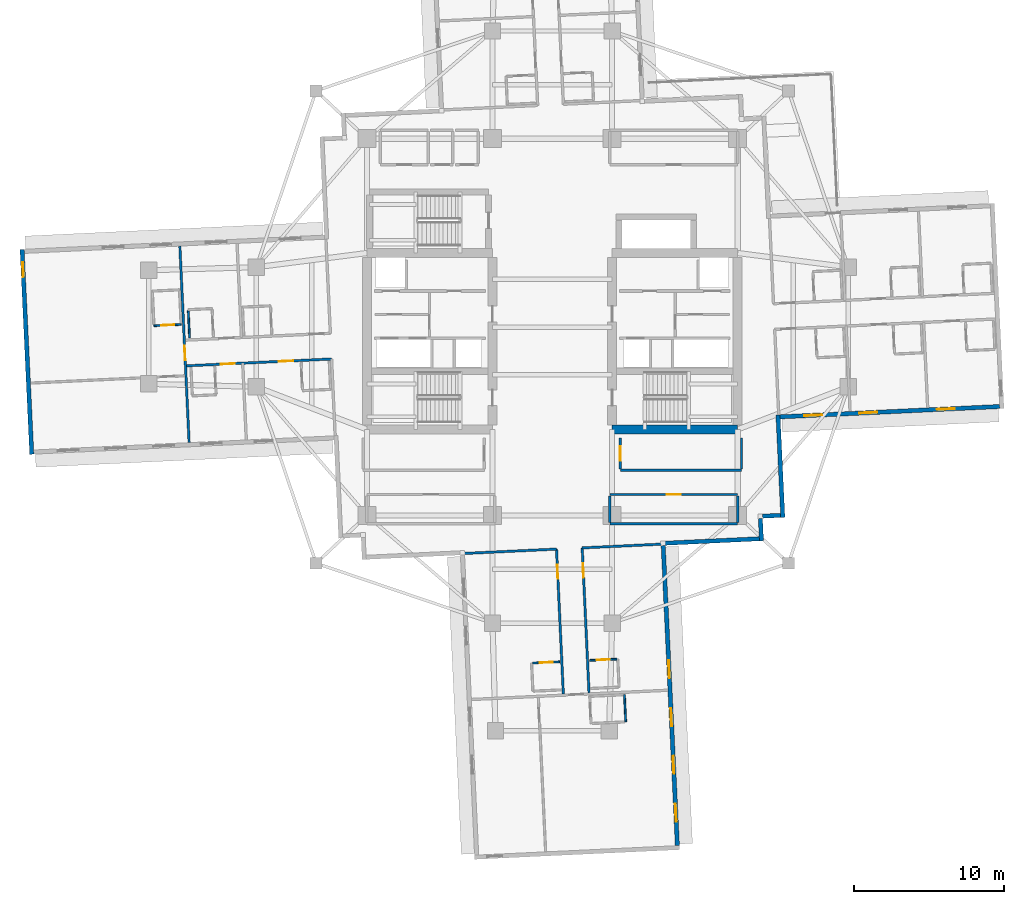
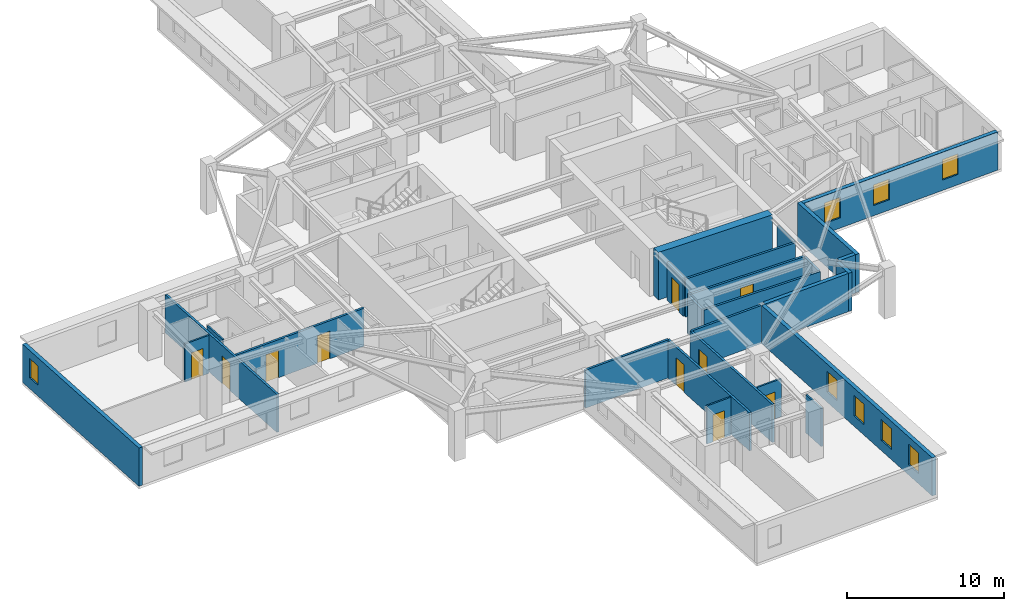
# One storey, part 4 of 14: 26 walls, 10 doors, 8 windows, 18 openings.
"""IFC4 building model written with IfcOpenShell, lengths in metres."""

from ifc_helpers import new_model, si_unit, direction, frame, frame_2d, origin, place, context, subcontext, project, spatial, rectangle, extrude, material, layer, layer_set, type_object, element, fill, save


model = new_model("IFC4")

# Units and contexts
model_context = context("Model", 3, precision=1e-05, world=origin(), true_north=direction((0.0, 1.0)))
body_context = subcontext(model_context, "Body", "Model", "MODEL_VIEW")
ifc_project = project(units=[si_unit("LENGTHUNIT", "METRE"), si_unit("AREAUNIT", "SQUARE_METRE"), si_unit("VOLUMEUNIT", "CUBIC_METRE"), si_unit("PLANEANGLEUNIT", "RADIAN"), si_unit("MASSUNIT", "GRAM", prefix="KILO")], contexts=[model_context])

# Site, building, storey
site_placement = place(None, origin())
site = spatial("IfcSite", under=ifc_project, at=site_placement, CompositionType="ELEMENT")
building_placement = place(site_placement, origin())
building = spatial("IfcBuilding", under=site, at=building_placement, Name="Qingluan Cross Belvedere", CompositionType="ELEMENT")
storey_placement = place(building_placement, frame((0.0, 0.0, 132.0)))
storey = spatial("IfcBuildingStorey", under=building, at=storey_placement, Name="L33", CompositionType="ELEMENT", Elevation=132.0)

# Walls
ifc_material_1 = material(Name="Concrete C60", Category="concrete")
ifc_layer_1 = layer(ifc_material_1, 0.60009765625, Name="CoreShearWall_600")
ifc_layer_set_1 = layer_set([ifc_layer_1], Name="Concrete C60")
wall_type_1 = type_object("IfcWallType", Name="CoreShearWall_600", PredefinedType="SHEAR", material=ifc_layer_set_1)
wall_1_placement = place(storey_placement, frame((4.0, -6.85009765625, 0.0), z_axis=(0.0, 0.0, 1.0), x_axis=(1.0, 0.0, 0.0)))
element("IfcWall", 1, at=wall_1_placement, inside=storey, type_object=wall_type_1, Name="Split core E shear wall L33-S", PredefinedType="SHEAR", context=body_context, shape_type="SweptSolid", body=[
    extrude(rectangle(XDim=8.39990234375, YDim=0.60009765625, at=frame_2d((4.199951171875, 0.0))), origin(), (0.0, 0.0, 1.0), 3.699951171875),
])
ifc_material_2 = material(Name="Gypsum plasterboard on steel stud acoustic partition", Category="steel")
ifc_layer_2 = layer(ifc_material_2, 0.159912109375, Name="CorridorPartition_160")
ifc_layer_set_2 = layer_set([ifc_layer_2], Name="Gypsum plasterboard on steel stud acoustic partition")
wall_type_2 = type_object("IfcWallType", Name="CorridorPartition_160", PredefinedType="PARTITIONING", material=ifc_layer_set_2)
wall_2_placement = place(storey_placement, frame((3.85009765625, -13.14990234375, 0.0), z_axis=(0.0, 0.0, 1.0), x_axis=(1.0, 0.0, 0.0)))
element("IfcWall", 2, at=wall_2_placement, inside=storey, type_object=wall_type_2, Name="Partition L33:q_se:S", PredefinedType="PARTITIONING", context=body_context, shape_type="SweptSolid", body=[
    extrude(rectangle(XDim=8.5498046875, YDim=0.159912109375, at=frame_2d((4.27490234375, 0.0))), origin(), (0.0, 0.0, 1.0), 2.9599609375),
])

# Wall, opening, door
wall_3_placement = place(storey_placement, frame((3.85009765625, -11.199951171875, 0.0), z_axis=(0.0, 0.0, 1.0), x_axis=(1.0, 0.0, 0.0)))
wall_3 = element("IfcWall", 3, at=wall_3_placement, inside=storey, type_object=wall_type_2, Name="Partition L33:q_se:N", PredefinedType="PARTITIONING", context=body_context, shape_type="SweptSolid", body=[
    extrude(rectangle(XDim=8.5498046875, YDim=0.159912109375, at=frame_2d((4.27490234375, 0.0))), origin(), (0.0, 0.0, 1.0), 2.9599609375),
])
opening_1_placement = place(wall_3_placement, frame((3.794921875, 0.0, 0.0)))
opening_1 = element("IfcOpeningElement", 4, at=opening_1_placement, cuts=wall_3, Name="Opening GD-10", PredefinedType="OPENING", context=body_context, shape_type="SweptSolid", body=[
    extrude(rectangle(XDim=0.9599609375, YDim=2.14990234375, at=frame_2d((0.47998046875, 1.074951171875))), frame((0.0, 0.08984375, 0.0), z_axis=(0.0, -1.0, 0.0), x_axis=(1.0, 0.0, 0.0)), (0.0, 0.0, 1.0), 0.179931640625),
])
ifc_material_3 = material(Name="Timber oak fire-rated acoustic guestroom door", Category="wood")
door_type_1 = type_object("IfcDoorType", Name="GuestEntryDoor_FD60", OperationType="NOTDEFINED", PredefinedType="DOOR", material=ifc_material_3)
door_1_placement = place(opening_1_placement, origin())
door_1 = element("IfcDoor", 5, at=door_1_placement, inside=storey, type_object=door_type_1, Name="Wellness lounge L33 door", OperationType="SINGLE_SWING_LEFT", OverallHeight=2.14990234375, OverallWidth=0.9599609375, PredefinedType="DOOR", context=body_context, shape_type="SweptSolid", body=[
    extrude(rectangle(XDim=0.9599609375, YDim=2.14990234375, at=frame_2d((0.47998046875, 1.074951171875))), frame((0.0, 0.02490234375, 0.0), z_axis=(0.0, -1.0, 0.0), x_axis=(1.0, 0.0, 0.0)), (0.0, 0.0, 1.0), 0.050048828125),
])
fill(opening_1, door_1)

# Walls
for number, where, z_axis, x_axis, name in (
    (6, (3.85009765625, -13.06494140625, 0.0), (0.0, 0.0, 1.0), (0.0, 1.0, 0.0), "Partition L33:q_se:W"),
    (7, (12.39990234375, -13.06494140625, 0.0), (0.0, 0.0, 1.0), (0.0, 1.0, 0.0), "Partition L33:q_se:E"),
):
    element("IfcWall", number, at=place(storey_placement, frame(where, z_axis=z_axis, x_axis=x_axis)), inside=storey, type_object=wall_type_2, Name=name, PredefinedType="PARTITIONING", context=body_context, shape_type="SweptSolid", body=[
        extrude(rectangle(XDim=1.780029296875, YDim=0.159912109375, at=frame_2d((0.89013671875, 0.0))), origin(), (0.0, 0.0, 1.0), 2.9599609375),
    ])
wall_4_placement = place(storey_placement, frame((4.550048828125, -9.580078125, 0.0), z_axis=(0.0, 0.0, 1.0), x_axis=(1.0, 0.0, 0.0)))
element("IfcWall", 8, at=wall_4_placement, inside=storey, type_object=wall_type_2, Name="Partition L33:rec_st4:S", PredefinedType="PARTITIONING", context=body_context, shape_type="SweptSolid", body=[
    extrude(rectangle(XDim=8.099853515625, YDim=0.159912109375, at=frame_2d((4.0498046875, 0.0))), origin(), (0.0, 0.0, 1.0), 2.9599609375),
])

# Wall, opening, door
wall_5_placement = place(storey_placement, frame((4.550048828125, -9.4951171875, 0.0), z_axis=(0.0, 0.0, 1.0), x_axis=(0.0, 1.0, 0.0)))
wall_5 = element("IfcWall", 9, at=wall_5_placement, inside=storey, type_object=wall_type_2, Name="Partition L33:rec_st4:W", PredefinedType="PARTITIONING", context=body_context, shape_type="SweptSolid", body=[
    extrude(rectangle(XDim=2.06005859375, YDim=0.159912109375, at=frame_2d((1.030029296875, 0.0))), origin(), (0.0, 0.0, 1.0), 2.9599609375),
])
opening_2_placement = place(wall_5_placement, frame((0.550048828125, 0.0, 0.0)))
opening_2 = element("IfcOpeningElement", 10, at=opening_2_placement, cuts=wall_5, Name="Opening GD-10", PredefinedType="OPENING", context=body_context, shape_type="SweptSolid", body=[
    extrude(rectangle(XDim=0.9599609375, YDim=2.14990234375, at=frame_2d((0.47998046875, 1.074951171875))), frame((0.0, 0.08984375, 0.0), z_axis=(0.0, -1.0, 0.0), x_axis=(1.0, 0.0, 0.0)), (0.0, 0.0, 1.0), 0.179931640625),
])
door_2_placement = place(opening_2_placement, origin())
door_2 = element("IfcDoor", 11, at=door_2_placement, inside=storey, type_object=door_type_1, Name="Southeast club library room L33 door", OperationType="SINGLE_SWING_RIGHT", OverallHeight=2.14990234375, OverallWidth=0.9599609375, PredefinedType="DOOR", context=body_context, shape_type="SweptSolid", body=[
    extrude(rectangle(XDim=0.9599609375, YDim=2.14990234375, at=frame_2d((0.47998046875, 1.074951171875))), frame((0.0, 0.02490234375, 0.0), z_axis=(0.0, -1.0, 0.0), x_axis=(1.0, 0.0, 0.0)), (0.0, 0.0, 1.0), 0.050048828125),
])
fill(opening_2, door_2)

# Wall
wall_6_placement = place(storey_placement, frame((12.64990234375, -9.4951171875, 0.0), z_axis=(0.0, 0.0, 1.0), x_axis=(0.0, 1.0, 0.0)))
element("IfcWall", 12, at=wall_6_placement, inside=storey, type_object=wall_type_2, Name="Partition L33:rec_st4:E", PredefinedType="PARTITIONING", context=body_context, shape_type="SweptSolid", body=[
    extrude(rectangle(XDim=2.06005859375, YDim=0.159912109375, at=frame_2d((1.030029296875, 0.0))), origin(), (0.0, 0.0, 1.0), 2.9599609375),
])

# Wall, openings, doors
wall_7_placement = place(storey_placement, frame((-14.765625, -2.137939453125, 0.0), z_axis=(0.0, 0.0, 1.0), x_axis=(-0.99888939101, -0.047116711769, 0.0)))
wall_7 = element("IfcWall", 13, at=wall_7_placement, inside=storey, type_object=wall_type_2, Name="Partition L33:W:c1", PredefinedType="PARTITIONING", context=body_context, shape_type="SweptSolid", body=[
    extrude(rectangle(XDim=9.699951171875, YDim=0.159912109375, at=frame_2d((4.85009765625, 0.0))), origin(), (0.0, 0.0, 1.0), 2.9599609375),
])
opening_3_placement = place(wall_7_placement, frame((2.574951171875, 0.0, 0.0)))
opening_3 = element("IfcOpeningElement", 14, at=opening_3_placement, cuts=wall_7, Name="Opening GD-10", PredefinedType="OPENING", context=body_context, shape_type="SweptSolid", body=[
    extrude(rectangle(XDim=0.9599609375, YDim=2.14990234375, at=frame_2d((0.47998046875, 1.074951171875))), frame((0.0, 0.08984375, 0.0), z_axis=(0.0, -1.0, 0.0), x_axis=(1.0, 0.0, 0.0)), (0.0, 0.0, 1.0), 0.179931640625),
])
opening_4_placement = place(wall_7_placement, frame((6.467041015625, 0.0, 0.0)))
opening_4 = element("IfcOpeningElement", 15, at=opening_4_placement, cuts=wall_7, Name="Opening GD-10", PredefinedType="OPENING", context=body_context, shape_type="SweptSolid", body=[
    extrude(rectangle(XDim=0.9599609375, YDim=2.14990234375, at=frame_2d((0.47998046875, 1.074951171875))), frame((0.0, 0.08984375, 0.0), z_axis=(0.0, -1.0, 0.0), x_axis=(1.0, 0.0, 0.0)), (0.0, 0.0, 1.0), 0.179931640625),
])
door_3_placement = place(opening_3_placement, origin())
door_3 = element("IfcDoor", 16, at=door_3_placement, inside=storey, type_object=door_type_1, Name="Guest entry fire door 3309", OperationType="SINGLE_SWING_RIGHT", OverallHeight=2.14990234375, OverallWidth=0.9599609375, PredefinedType="DOOR", context=body_context, shape_type="SweptSolid", body=[
    extrude(rectangle(XDim=0.9599609375, YDim=2.14990234375, at=frame_2d((0.47998046875, 1.074951171875))), frame((0.0, 0.02490234375, 0.0), z_axis=(0.0, -1.0, 0.0), x_axis=(1.0, 0.0, 0.0)), (0.0, 0.0, 1.0), 0.050048828125),
])
fill(opening_3, door_3)
door_4_placement = place(opening_4_placement, origin())
door_4 = element("IfcDoor", 17, at=door_4_placement, inside=storey, type_object=door_type_1, Name="Guest entry fire door 3310", OperationType="SINGLE_SWING_RIGHT", OverallHeight=2.14990234375, OverallWidth=0.9599609375, PredefinedType="DOOR", context=body_context, shape_type="SweptSolid", body=[
    extrude(rectangle(XDim=0.9599609375, YDim=2.14990234375, at=frame_2d((0.47998046875, 1.074951171875))), frame((0.0, 0.02490234375, 0.0), z_axis=(0.0, -1.0, 0.0), x_axis=(1.0, 0.0, 0.0)), (0.0, 0.0, 1.0), 0.050048828125),
])
fill(opening_4, door_4)

# Wall, opening, door
wall_8_placement = place(storey_placement, frame((1.998046875, -14.772216796875, 0.0), z_axis=(0.0, 0.0, 1.0), x_axis=(0.047116711769, -0.99888939101, 0.0)))
wall_8 = element("IfcWall", 18, at=wall_8_placement, inside=storey, type_object=wall_type_2, Name="Partition L33:S:c0", PredefinedType="PARTITIONING", context=body_context, shape_type="SweptSolid", body=[
    extrude(rectangle(XDim=9.699951171875, YDim=0.159912109375, at=frame_2d((4.85009765625, 0.0))), origin(), (0.0, 0.0, 1.0), 2.9599609375),
])
opening_5_placement = place(wall_8_placement, frame((1.032958984375, 0.0, 0.0)))
opening_5 = element("IfcOpeningElement", 19, at=opening_5_placement, cuts=wall_8, Name="Opening GD-10", PredefinedType="OPENING", context=body_context, shape_type="SweptSolid", body=[
    extrude(rectangle(XDim=0.9599609375, YDim=2.14990234375, at=frame_2d((0.47998046875, 1.074951171875))), frame((0.0, 0.08984375, 0.0), z_axis=(0.0, -1.0, 0.0), x_axis=(1.0, 0.0, 0.0)), (0.0, 0.0, 1.0), 0.179931640625),
])
door_5_placement = place(opening_5_placement, origin())
door_5 = element("IfcDoor", 20, at=door_5_placement, inside=storey, type_object=door_type_1, Name="Guest entry fire door 3315", OperationType="SINGLE_SWING_RIGHT", OverallHeight=2.14990234375, OverallWidth=0.9599609375, PredefinedType="DOOR", context=body_context, shape_type="SweptSolid", body=[
    extrude(rectangle(XDim=0.9599609375, YDim=2.14990234375, at=frame_2d((0.47998046875, 1.074951171875))), frame((0.0, 0.02490234375, 0.0), z_axis=(0.0, -1.0, 0.0), x_axis=(1.0, 0.0, 0.0)), (0.0, 0.0, 1.0), 0.050048828125),
])
fill(opening_5, door_5)

# Wall
wall_9_placement = place(storey_placement, frame((1.998046875, -14.772216796875, 0.0), z_axis=(0.0, 0.0, 1.0), x_axis=(0.998891556386, 0.047070782667, 0.0)))
element("IfcWall", 21, at=wall_9_placement, inside=storey, type_object=wall_type_2, Name="Partition L33:S:s0", PredefinedType="PARTITIONING", context=body_context, shape_type="SweptSolid", body=[
    extrude(rectangle(XDim=5.420166015625, YDim=0.159912109375, at=frame_2d((2.7099609375, 0.0))), origin(), (0.0, 0.0, 1.0), 2.9599609375),
])

# Wall, opening, door
wall_10_placement = place(storey_placement, frame((0.280029296875, -14.853271484375, 0.0), z_axis=(0.0, 0.0, 1.0), x_axis=(0.047091598416, -0.998890575268, 0.0)))
wall_10 = element("IfcWall", 22, at=wall_10_placement, inside=storey, type_object=wall_type_2, Name="Partition L33:S:c1", PredefinedType="PARTITIONING", context=body_context, shape_type="SweptSolid", body=[
    extrude(rectangle(XDim=9.699951171875, YDim=0.159912109375, at=frame_2d((4.85009765625, 0.0))), origin(), (0.0, 0.0, 1.0), 2.9599609375),
])
opening_6_placement = place(wall_10_placement, frame((1.032958984375, 0.0, 0.0)))
opening_6 = element("IfcOpeningElement", 23, at=opening_6_placement, cuts=wall_10, Name="Opening GD-10", PredefinedType="OPENING", context=body_context, shape_type="SweptSolid", body=[
    extrude(rectangle(XDim=0.9599609375, YDim=2.14990234375, at=frame_2d((0.47998046875, 1.074951171875))), frame((0.0, 0.08984375, 0.0), z_axis=(0.0, -1.0, 0.0), x_axis=(1.0, 0.0, 0.0)), (0.0, 0.0, 1.0), 0.179931640625),
])
door_6_placement = place(opening_6_placement, origin())
door_6 = element("IfcDoor", 24, at=door_6_placement, inside=storey, type_object=door_type_1, Name="Guest entry fire door 3316", OperationType="SINGLE_SWING_RIGHT", OverallHeight=2.14990234375, OverallWidth=0.9599609375, PredefinedType="DOOR", context=body_context, shape_type="SweptSolid", body=[
    extrude(rectangle(XDim=0.9599609375, YDim=2.14990234375, at=frame_2d((0.47998046875, 1.074951171875))), frame((0.0, 0.02490234375, 0.0), z_axis=(0.0, -1.0, 0.0), x_axis=(1.0, 0.0, 0.0)), (0.0, 0.0, 1.0), 0.050048828125),
])
fill(opening_6, door_6)

# Wall
wall_11_placement = place(storey_placement, frame((0.280029296875, -14.853271484375, 0.0), z_axis=(0.0, 0.0, 1.0), x_axis=(-0.998889082162, -0.047123258997, 0.0)))
element("IfcWall", 25, at=wall_11_placement, inside=storey, type_object=wall_type_2, Name="Partition L33:S:s1", PredefinedType="PARTITIONING", context=body_context, shape_type="SweptSolid", body=[
    extrude(rectangle(XDim=6.300048828125, YDim=0.159912109375, at=frame_2d((3.14990234375, 0.0))), origin(), (0.0, 0.0, 1.0), 2.9599609375),
])

# Wall, opening, door
wall_12_placement = place(storey_placement, frame((-24.293212890625, -7.724853515625, 0.0), z_axis=(0.0, 0.0, 1.0), x_axis=(-0.047104484326, 0.998889967692, 0.0)))
wall_12 = element("IfcWall", 26, at=wall_12_placement, inside=storey, type_object=wall_type_2, Name="Partition L33:Wcap:in", PredefinedType="PARTITIONING", context=body_context, shape_type="SweptSolid", body=[
    extrude(rectangle(XDim=13.14404296875, YDim=0.159912109375, at=frame_2d((6.572021484375, 0.0))), origin(), (0.0, 0.0, 1.0), 2.9599609375),
])
opening_7_placement = place(wall_12_placement, frame((5.511962890625, 0.0, 0.0)))
opening_7 = element("IfcOpeningElement", 27, at=opening_7_placement, cuts=wall_12, Name="Opening GD-10", PredefinedType="OPENING", context=body_context, shape_type="SweptSolid", body=[
    extrude(rectangle(XDim=0.9599609375, YDim=2.14990234375, at=frame_2d((0.47998046875, 1.074951171875))), frame((0.0, 0.08984375, 0.0), z_axis=(0.0, -1.0, 0.0), x_axis=(1.0, 0.0, 0.0)), (0.0, 0.0, 1.0), 0.179931640625),
])
door_7_placement = place(opening_7_placement, origin())
door_7 = element("IfcDoor", 28, at=door_7_placement, inside=storey, type_object=door_type_1, Name="Horizon corner suite door L33W", OperationType="SINGLE_SWING_LEFT", OverallHeight=2.14990234375, OverallWidth=0.9599609375, PredefinedType="DOOR", context=body_context, shape_type="SweptSolid", body=[
    extrude(rectangle(XDim=0.9599609375, YDim=2.14990234375, at=frame_2d((0.47998046875, 1.074951171875))), frame((0.0, 0.02490234375, 0.0), z_axis=(0.0, -1.0, 0.0), x_axis=(1.0, 0.0, 0.0)), (0.0, 0.0, 1.0), 0.050048828125),
])
fill(opening_7, door_7)

# Wall
ifc_material_4 = material(Name="Moisture-resistant gypsum board lining")
ifc_layer_3 = layer(ifc_material_4, 0.1201171875, Name="EnsuiteWetPartition_120")
ifc_layer_set_3 = layer_set([ifc_layer_3], Name="Moisture-resistant gypsum board lining")
wall_type_3 = type_object("IfcWallType", Name="EnsuiteWetPartition_120", PredefinedType="PARTITIONING", material=ifc_layer_set_3)
wall_13_placement = place(storey_placement, frame((-24.2626953125, -0.7236328125, 0.0), z_axis=(0.0, 0.0, 1.0), x_axis=(-0.047220968666, 0.998884467853, 0.0)))
element("IfcWall", 29, at=wall_13_placement, inside=storey, type_object=wall_type_3, Name="Partition L33:W:bw0_1", PredefinedType="PARTITIONING", context=body_context, shape_type="SweptSolid", body=[
    extrude(rectangle(XDim=1.81982421875, YDim=0.1201171875, at=frame_2d((0.909912109375, 0.0))), origin(), (0.0, 0.0, 1.0), 2.9599609375),
])

# Wall, opening, door
wall_14_placement = place(storey_placement, frame((2.4931640625, -22.29736328125, 0.0), z_axis=(0.0, 0.0, 1.0), x_axis=(0.998890786574, 0.047087116047, 0.0)))
wall_14 = element("IfcWall", 30, at=wall_14_placement, inside=storey, type_object=wall_type_3, Name="Partition L33:S:bs0_0", PredefinedType="PARTITIONING", context=body_context, shape_type="SweptSolid", body=[
    extrude(rectangle(XDim=1.81982421875, YDim=0.1201171875, at=frame_2d((0.909912109375, 0.0))), origin(), (0.0, 0.0, 1.0), 2.9599609375),
])
opening_8_placement = place(wall_14_placement, frame((0.469970703125, 0.0, 0.0)))
opening_8 = element("IfcOpeningElement", 31, at=opening_8_placement, cuts=wall_14, Name="Opening BD-09", PredefinedType="OPENING", context=body_context, shape_type="SweptSolid", body=[
    extrude(rectangle(XDim=0.8798828125, YDim=2.10009765625, at=frame_2d((0.43994140625, 1.050048828125))), frame((0.0, 0.070068359375, 0.0), z_axis=(0.0, -1.0, 0.0), x_axis=(1.0, 0.0, 0.0)), (0.0, 0.0, 1.0), 0.14013671875),
])
ifc_material_5 = material(Name="Moisture-sealed timber en-suite door", Category="wood")
door_type_2 = type_object("IfcDoorType", Name="BathroomDoor_880", OperationType="NOTDEFINED", PredefinedType="DOOR", material=ifc_material_5)
door_8_placement = place(opening_8_placement, origin())
door_8 = element("IfcDoor", 32, at=door_8_placement, inside=storey, type_object=door_type_2, Name="Bathroom door 3315", OperationType="SINGLE_SWING_LEFT", OverallHeight=2.10009765625, OverallWidth=0.8798828125, PredefinedType="DOOR", context=body_context, shape_type="SweptSolid", body=[
    extrude(rectangle(XDim=0.8798828125, YDim=2.10009765625, at=frame_2d((0.43994140625, 1.050048828125))), frame((0.0, 0.02490234375, 0.0), z_axis=(0.0, -1.0, 0.0), x_axis=(1.0, 0.0, 0.0)), (0.0, 0.0, 1.0), 0.050048828125),
])
fill(opening_8, door_8)

wall_15_placement = place(storey_placement, frame((-1.322509765625, -22.477294921875, 0.0), z_axis=(0.0, 0.0, 1.0), x_axis=(0.998890786574, 0.047087116047, 0.0)))
wall_15 = element("IfcWall", 33, at=wall_15_placement, inside=storey, type_object=wall_type_3, Name="Partition L33:S:bs1_0", PredefinedType="PARTITIONING", context=body_context, shape_type="SweptSolid", body=[
    extrude(rectangle(XDim=1.81982421875, YDim=0.1201171875, at=frame_2d((0.909912109375, 0.0))), origin(), (0.0, 0.0, 1.0), 2.9599609375),
])
opening_9_placement = place(wall_15_placement, frame((0.469970703125, 0.0, 0.0)))
opening_9 = element("IfcOpeningElement", 34, at=opening_9_placement, cuts=wall_15, Name="Opening BD-09", PredefinedType="OPENING", context=body_context, shape_type="SweptSolid", body=[
    extrude(rectangle(XDim=0.8798828125, YDim=2.10009765625, at=frame_2d((0.43994140625, 1.050048828125))), frame((0.0, 0.070068359375, 0.0), z_axis=(0.0, -1.0, 0.0), x_axis=(1.0, 0.0, 0.0)), (0.0, 0.0, 1.0), 0.14013671875),
])
door_9_placement = place(opening_9_placement, origin())
door_9 = element("IfcDoor", 35, at=door_9_placement, inside=storey, type_object=door_type_2, Name="Bathroom door 3316", OperationType="SINGLE_SWING_LEFT", OverallHeight=2.10009765625, OverallWidth=0.8798828125, PredefinedType="DOOR", context=body_context, shape_type="SweptSolid", body=[
    extrude(rectangle(XDim=0.8798828125, YDim=2.10009765625, at=frame_2d((0.43994140625, 1.050048828125))), frame((0.0, 0.02490234375, 0.0), z_axis=(0.0, -1.0, 0.0), x_axis=(1.0, 0.0, 0.0)), (0.0, 0.0, 1.0), 0.050048828125),
])
fill(opening_9, door_9)

wall_16_placement = place(storey_placement, frame((-24.82568359375, 0.170654296875, 0.0), z_axis=(0.0, 0.0, 1.0), x_axis=(-0.998890786574, -0.047087116047, 0.0)))
wall_16 = element("IfcWall", 36, at=wall_16_placement, inside=storey, type_object=wall_type_3, Name="Partition L33:Wcap:b2s", PredefinedType="PARTITIONING", context=body_context, shape_type="SweptSolid", body=[
    extrude(rectangle(XDim=1.81982421875, YDim=0.1201171875, at=frame_2d((0.909912109375, 0.0))), origin(), (0.0, 0.0, 1.0), 2.9599609375),
])
opening_10_placement = place(wall_16_placement, frame((0.449951171875, 0.0, 0.0)))
opening_10 = element("IfcOpeningElement", 37, at=opening_10_placement, cuts=wall_16, Name="Opening BD-09", PredefinedType="OPENING", context=body_context, shape_type="SweptSolid", body=[
    extrude(rectangle(XDim=0.8798828125, YDim=2.10009765625, at=frame_2d((0.43994140625, 1.050048828125))), frame((0.0, 0.070068359375, 0.0), z_axis=(0.0, -1.0, 0.0), x_axis=(1.0, 0.0, 0.0)), (0.0, 0.0, 1.0), 0.14013671875),
])
door_10_placement = place(opening_10_placement, origin())
door_10 = element("IfcDoor", 38, at=door_10_placement, inside=storey, type_object=door_type_2, Name="En-suite bathroom door L33W", OperationType="SINGLE_SWING_RIGHT", OverallHeight=2.10009765625, OverallWidth=0.8798828125, PredefinedType="DOOR", context=body_context, shape_type="SweptSolid", body=[
    extrude(rectangle(XDim=0.8798828125, YDim=2.10009765625, at=frame_2d((0.43994140625, 1.050048828125))), frame((0.0, 0.02490234375, 0.0), z_axis=(0.0, -1.0, 0.0), x_axis=(1.0, 0.0, 0.0)), (0.0, 0.0, 1.0), 0.050048828125),
])
fill(opening_10, door_10)

# Wall
wall_17_placement = place(storey_placement, frame((4.82373046875, -24.590087890625, 0.0), z_axis=(0.0, 0.0, 1.0), x_axis=(0.047087116047, -0.998890786574, 0.0)))
element("IfcWall", 39, at=wall_17_placement, inside=storey, type_object=wall_type_3, Name="Partition L33:Scap:b2b", PredefinedType="PARTITIONING", context=body_context, shape_type="SweptSolid", body=[
    extrude(rectangle(XDim=1.81982421875, YDim=0.1201171875, at=frame_2d((0.909912109375, 0.0))), origin(), (0.0, 0.0, 1.0), 2.9599609375),
])

# Wall, openings, windows
ifc_material_6 = material(Name="Precast concrete C45", Category="concrete")
ifc_layer_4 = layer(ifc_material_6, 0.280029296875, Name="PrecastFacadeWall_280")
ifc_layer_set_4 = layer_set([ifc_layer_4], Name="Precast concrete C45")
wall_type_4 = type_object("IfcWallType", Name="PrecastFacadeWall_280", PredefinedType="STANDARD", material=ifc_layer_set_4)
wall_18_placement = place(storey_placement, frame((15.239990234375, -6.0087890625, 0.0), z_axis=(0.0, 0.0, 1.0), x_axis=(0.998890124275, 0.047101163748, 0.0)))
wall_18 = element("IfcWall", 40, at=wall_18_placement, inside=storey, type_object=wall_type_4, Name="Facade wall L33-EA", PredefinedType="STANDARD", context=body_context, shape_type="SweptSolid", body=[
    extrude(rectangle(XDim=14.699951171875, YDim=0.280029296875, at=frame_2d((7.35009765625, 0.0))), origin(), (0.0, 0.0, 1.0), 2.969970703125),
])
opening_11_placement = place(wall_18_placement, frame((1.60009765625, 0.0, 0.800048828125)))
opening_11 = element("IfcOpeningElement", 41, at=opening_11_placement, cuts=wall_18, Name="Opening W-02", PredefinedType="OPENING", context=body_context, shape_type="SweptSolid", body=[
    extrude(rectangle(XDim=1.199951171875, YDim=1.60009765625, at=frame_2d((0.60009765625, 0.800048828125))), frame((0.0, 0.14990234375, 0.0), z_axis=(0.0, -1.0, 0.0), x_axis=(1.0, 0.0, 0.0)), (0.0, 0.0, 1.0), 0.300048828125),
])
opening_12_placement = place(wall_18_placement, frame((5.300048828125, 0.0, 0.800048828125)))
opening_12 = element("IfcOpeningElement", 42, at=opening_12_placement, cuts=wall_18, Name="Opening W-02", PredefinedType="OPENING", context=body_context, shape_type="SweptSolid", body=[
    extrude(rectangle(XDim=1.199951171875, YDim=1.60009765625, at=frame_2d((0.60009765625, 0.800048828125))), frame((0.0, 0.14990234375, 0.0), z_axis=(0.0, -1.0, 0.0), x_axis=(1.0, 0.0, 0.0)), (0.0, 0.0, 1.0), 0.300048828125),
])
opening_13_placement = place(wall_18_placement, frame((10.5, 0.0, 0.800048828125)))
opening_13 = element("IfcOpeningElement", 43, at=opening_13_placement, cuts=wall_18, Name="Opening W-02", PredefinedType="OPENING", context=body_context, shape_type="SweptSolid", body=[
    extrude(rectangle(XDim=1.199951171875, YDim=1.60009765625, at=frame_2d((0.60009765625, 0.800048828125))), frame((0.0, 0.14990234375, 0.0), z_axis=(0.0, -1.0, 0.0), x_axis=(1.0, 0.0, 0.0)), (0.0, 0.0, 1.0), 0.300048828125),
])
ifc_material_7 = material(Name="Thermally broken triple Low-E glass in aluminium frame", Category="aluminium")
window_type_1 = type_object("IfcWindowType", Name="TriRibbonWin_1200x1600", PartitioningType="SINGLE_PANEL", PredefinedType="WINDOW", material=ifc_material_7)
window_1_placement = place(opening_11_placement, origin())
window_1 = element("IfcWindow", 44, at=window_1_placement, inside=storey, type_object=window_type_1, Name="Ribbon window L33-EA-1", OverallHeight=1.60009765625, OverallWidth=1.199951171875, PartitioningType="SINGLE_PANEL", PredefinedType="WINDOW", context=body_context, shape_type="SweptSolid", body=[
    extrude(rectangle(XDim=1.199951171875, YDim=1.60009765625, at=frame_2d((0.60009765625, 0.800048828125))), frame((0.0, 0.030029296875, 0.0), z_axis=(0.0, -1.0, 0.0), x_axis=(1.0, 0.0, 0.0)), (0.0, 0.0, 1.0), 0.06005859375),
])
fill(opening_11, window_1)
window_2_placement = place(opening_12_placement, origin())
window_2 = element("IfcWindow", 45, at=window_2_placement, inside=storey, type_object=window_type_1, Name="Ribbon window L33-EA-2", OverallHeight=1.60009765625, OverallWidth=1.199951171875, PartitioningType="SINGLE_PANEL", PredefinedType="WINDOW", context=body_context, shape_type="SweptSolid", body=[
    extrude(rectangle(XDim=1.199951171875, YDim=1.60009765625, at=frame_2d((0.60009765625, 0.800048828125))), frame((0.0, 0.030029296875, 0.0), z_axis=(0.0, -1.0, 0.0), x_axis=(1.0, 0.0, 0.0)), (0.0, 0.0, 1.0), 0.06005859375),
])
fill(opening_12, window_2)
window_3_placement = place(opening_13_placement, origin())
window_3 = element("IfcWindow", 46, at=window_3_placement, inside=storey, type_object=window_type_1, Name="Ribbon window L33-EA-3", OverallHeight=1.60009765625, OverallWidth=1.199951171875, PartitioningType="SINGLE_PANEL", PredefinedType="WINDOW", context=body_context, shape_type="SweptSolid", body=[
    extrude(rectangle(XDim=1.199951171875, YDim=1.60009765625, at=frame_2d((0.60009765625, 0.800048828125))), frame((0.0, 0.030029296875, 0.0), z_axis=(0.0, -1.0, 0.0), x_axis=(1.0, 0.0, 0.0)), (0.0, 0.0, 1.0), 0.06005859375),
])
fill(opening_13, window_3)

# Wall, opening, window
wall_19_placement = place(storey_placement, frame((-35.464111328125, 5.1953125, 0.0), z_axis=(0.0, 0.0, 1.0), x_axis=(0.047101845086, -0.998890092147, 0.0)))
wall_19 = element("IfcWall", 47, at=wall_19_placement, inside=storey, type_object=wall_type_4, Name="Arm tip precast facade wall L33-W", PredefinedType="STANDARD", context=body_context, shape_type="SweptSolid", body=[
    extrude(rectangle(XDim=13.719970703125, YDim=0.280029296875, at=frame_2d((6.85986328125, 0.0))), origin(), (0.0, 0.0, 1.0), 2.969970703125),
])
opening_14_placement = place(wall_19_placement, frame((0.85009765625, 0.0, 0.85009765625)))
opening_14 = element("IfcOpeningElement", 48, at=opening_14_placement, cuts=wall_19, Name="Opening W-03", PredefinedType="OPENING", context=body_context, shape_type="SweptSolid", body=[
    extrude(rectangle(XDim=1.0, YDim=1.5, at=frame_2d((0.5, 0.75))), frame((0.0, 0.14990234375, 0.0), z_axis=(0.0, -1.0, 0.0), x_axis=(1.0, 0.0, 0.0)), (0.0, 0.0, 1.0), 0.300048828125),
])
ifc_material_8 = material(Name="Thermally broken triple Low-E glass in aluminium frame", Category="aluminium")
window_type_2 = type_object("IfcWindowType", Name="TriApexWin_1000x1500", PartitioningType="SINGLE_PANEL", PredefinedType="WINDOW", material=ifc_material_8)
window_4_placement = place(opening_14_placement, origin())
window_4 = element("IfcWindow", 49, at=window_4_placement, inside=storey, type_object=window_type_2, Name="Arm tip triangular window L33-W", OverallHeight=1.5, OverallWidth=1.0, PartitioningType="SINGLE_PANEL", PredefinedType="WINDOW", context=body_context, shape_type="SweptSolid", body=[
    extrude(rectangle(XDim=1.0, YDim=1.5, at=frame_2d((0.5, 0.75))), frame((0.0, 0.030029296875, 0.0), z_axis=(0.0, -1.0, 0.0), x_axis=(1.0, 0.0, 0.0)), (0.0, 0.0, 1.0), 0.06005859375),
])
fill(opening_14, window_4)

# Wall, openings, windows
wall_20_placement = place(storey_placement, frame((8.363037109375, -34.6845703125, 0.0), z_axis=(0.0, 0.0, 1.0), x_axis=(-0.047103473814, 0.998890015344, 0.0)))
wall_20 = element("IfcWall", 50, at=wall_20_placement, inside=storey, type_object=wall_type_4, Name="Facade wall L33-SB", PredefinedType="STANDARD", context=body_context, shape_type="SweptSolid", body=[
    extrude(rectangle(XDim=20.099853515625, YDim=0.280029296875, at=frame_2d((10.0498046875, 0.0))), origin(), (0.0, 0.0, 1.0), 2.969970703125),
])
opening_15_placement = place(wall_20_placement, frame((1.60009765625, 0.0, 0.800048828125)))
opening_15 = element("IfcOpeningElement", 51, at=opening_15_placement, cuts=wall_20, Name="Opening W-02", PredefinedType="OPENING", context=body_context, shape_type="SweptSolid", body=[
    extrude(rectangle(XDim=1.199951171875, YDim=1.60009765625, at=frame_2d((0.60009765625, 0.800048828125))), frame((0.0, 0.14990234375, 0.0), z_axis=(0.0, -1.0, 0.0), x_axis=(1.0, 0.0, 0.0)), (0.0, 0.0, 1.0), 0.300048828125),
])
opening_16_placement = place(wall_20_placement, frame((4.800048828125, 0.0, 0.800048828125)))
opening_16 = element("IfcOpeningElement", 52, at=opening_16_placement, cuts=wall_20, Name="Opening W-02", PredefinedType="OPENING", context=body_context, shape_type="SweptSolid", body=[
    extrude(rectangle(XDim=1.199951171875, YDim=1.60009765625, at=frame_2d((0.60009765625, 0.800048828125))), frame((0.0, 0.14990234375, 0.0), z_axis=(0.0, -1.0, 0.0), x_axis=(1.0, 0.0, 0.0)), (0.0, 0.0, 1.0), 0.300048828125),
])
opening_17_placement = place(wall_20_placement, frame((8.0, 0.0, 0.800048828125)))
opening_17 = element("IfcOpeningElement", 53, at=opening_17_placement, cuts=wall_20, Name="Opening W-02", PredefinedType="OPENING", context=body_context, shape_type="SweptSolid", body=[
    extrude(rectangle(XDim=1.199951171875, YDim=1.60009765625, at=frame_2d((0.60009765625, 0.800048828125))), frame((0.0, 0.14990234375, 0.0), z_axis=(0.0, -1.0, 0.0), x_axis=(1.0, 0.0, 0.0)), (0.0, 0.0, 1.0), 0.300048828125),
])
opening_18_placement = place(wall_20_placement, frame((11.199951171875, 0.0, 0.800048828125)))
opening_18 = element("IfcOpeningElement", 54, at=opening_18_placement, cuts=wall_20, Name="Opening W-02", PredefinedType="OPENING", context=body_context, shape_type="SweptSolid", body=[
    extrude(rectangle(XDim=1.199951171875, YDim=1.60009765625, at=frame_2d((0.60009765625, 0.800048828125))), frame((0.0, 0.14990234375, 0.0), z_axis=(0.0, -1.0, 0.0), x_axis=(1.0, 0.0, 0.0)), (0.0, 0.0, 1.0), 0.300048828125),
])
window_5_placement = place(opening_15_placement, origin())
window_5 = element("IfcWindow", 55, at=window_5_placement, inside=storey, type_object=window_type_1, Name="Ribbon window L33-SB-1", OverallHeight=1.60009765625, OverallWidth=1.199951171875, PartitioningType="SINGLE_PANEL", PredefinedType="WINDOW", context=body_context, shape_type="SweptSolid", body=[
    extrude(rectangle(XDim=1.199951171875, YDim=1.60009765625, at=frame_2d((0.60009765625, 0.800048828125))), frame((0.0, 0.030029296875, 0.0), z_axis=(0.0, -1.0, 0.0), x_axis=(1.0, 0.0, 0.0)), (0.0, 0.0, 1.0), 0.06005859375),
])
fill(opening_15, window_5)
window_6_placement = place(opening_16_placement, origin())
window_6 = element("IfcWindow", 56, at=window_6_placement, inside=storey, type_object=window_type_1, Name="Ribbon window L33-SB-2", OverallHeight=1.60009765625, OverallWidth=1.199951171875, PartitioningType="SINGLE_PANEL", PredefinedType="WINDOW", context=body_context, shape_type="SweptSolid", body=[
    extrude(rectangle(XDim=1.199951171875, YDim=1.60009765625, at=frame_2d((0.60009765625, 0.800048828125))), frame((0.0, 0.030029296875, 0.0), z_axis=(0.0, -1.0, 0.0), x_axis=(1.0, 0.0, 0.0)), (0.0, 0.0, 1.0), 0.06005859375),
])
fill(opening_16, window_6)
window_7_placement = place(opening_17_placement, origin())
window_7 = element("IfcWindow", 57, at=window_7_placement, inside=storey, type_object=window_type_1, Name="Ribbon window L33-SB-3", OverallHeight=1.60009765625, OverallWidth=1.199951171875, PartitioningType="SINGLE_PANEL", PredefinedType="WINDOW", context=body_context, shape_type="SweptSolid", body=[
    extrude(rectangle(XDim=1.199951171875, YDim=1.60009765625, at=frame_2d((0.60009765625, 0.800048828125))), frame((0.0, 0.030029296875, 0.0), z_axis=(0.0, -1.0, 0.0), x_axis=(1.0, 0.0, 0.0)), (0.0, 0.0, 1.0), 0.06005859375),
])
fill(opening_17, window_7)
window_8_placement = place(opening_18_placement, origin())
window_8 = element("IfcWindow", 58, at=window_8_placement, inside=storey, type_object=window_type_1, Name="Ribbon window L33-SB-4", OverallHeight=1.60009765625, OverallWidth=1.199951171875, PartitioningType="SINGLE_PANEL", PredefinedType="WINDOW", context=body_context, shape_type="SweptSolid", body=[
    extrude(rectangle(XDim=1.199951171875, YDim=1.60009765625, at=frame_2d((0.60009765625, 0.800048828125))), frame((0.0, 0.030029296875, 0.0), z_axis=(0.0, -1.0, 0.0), x_axis=(1.0, 0.0, 0.0)), (0.0, 0.0, 1.0), 0.06005859375),
])
fill(opening_18, window_8)

# Walls
wall_21_placement = place(storey_placement, frame((15.093505859375, -5.87548828125, 0.0), z_axis=(0.0, 0.0, 1.0), x_axis=(0.04712043756, -0.998889215261, 0.0)))
element("IfcWall", 59, at=wall_21_placement, inside=storey, type_object=wall_type_4, Name="Corner wall L33-SE1", PredefinedType="STANDARD", context=body_context, shape_type="SweptSolid", body=[
    extrude(rectangle(XDim=6.85986328125, YDim=0.280029296875, at=frame_2d((3.429931640625, 0.0))), origin(), (0.0, 0.0, 1.0), 2.969970703125),
])
wall_22_placement = place(storey_placement, frame((15.270263671875, -12.5947265625, 0.0), z_axis=(0.0, 0.0, 1.0), x_axis=(-0.998893795343, -0.047023245574, 0.0)))
element("IfcWall", 60, at=wall_22_placement, inside=storey, type_object=wall_type_4, Name="Corner wall L33-SE2", PredefinedType="STANDARD", context=body_context, shape_type="SweptSolid", body=[
    extrude(rectangle(XDim=1.22021484375, YDim=0.280029296875, at=frame_2d((0.610107421875, 0.0))), origin(), (0.0, 0.0, 1.0), 2.969970703125),
])
wall_23_placement = place(storey_placement, frame((13.918212890625, -12.798583984375, 0.0), z_axis=(0.0, 0.0, 1.0), x_axis=(0.047201688113, -0.99888537913, 0.0)))
element("IfcWall", 61, at=wall_23_placement, inside=storey, type_object=wall_type_4, Name="Corner wall L33-SE3", PredefinedType="STANDARD", context=body_context, shape_type="SweptSolid", body=[
    extrude(rectangle(XDim=1.5, YDim=0.280029296875, at=frame_2d((0.75, 0.0))), origin(), (0.0, 0.0, 1.0), 2.969970703125),
])
wall_24_placement = place(storey_placement, frame((13.842529296875, -14.16357421875, 0.0), z_axis=(0.0, 0.0, 1.0), x_axis=(-0.998889082162, -0.047123258997, 0.0)))
element("IfcWall", 62, at=wall_24_placement, inside=storey, type_object=wall_type_4, Name="Corner wall L33-SE4", PredefinedType="STANDARD", context=body_context, shape_type="SweptSolid", body=[
    extrude(rectangle(XDim=6.300048828125, YDim=0.280029296875, at=frame_2d((3.14990234375, 0.0))), origin(), (0.0, 0.0, 1.0), 2.969970703125),
])

save(model, "model.ifc")
